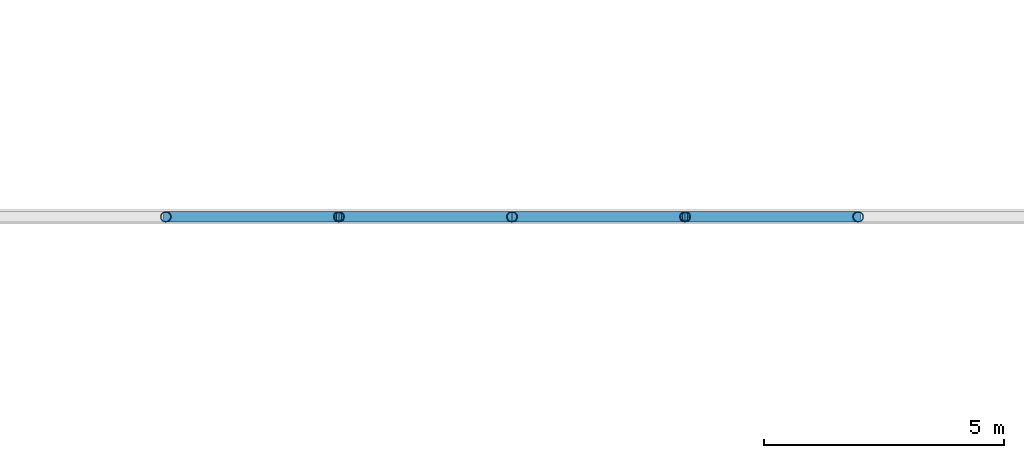
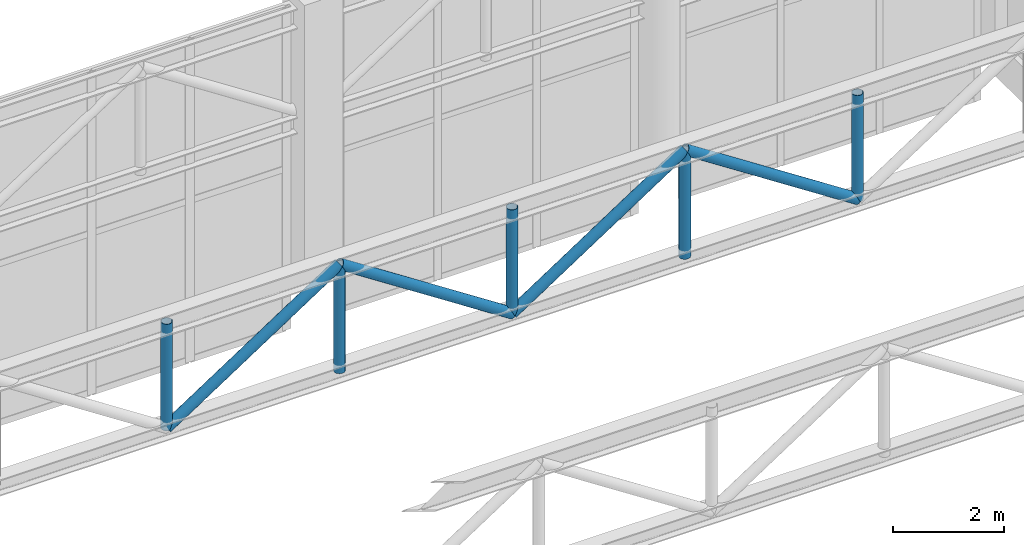
# One storey, part 102 of 153: 9 members.
"""IFC4 building model written with IfcOpenShell, lengths in metres."""

from ifc_helpers import new_model, si_unit, direction, frame, origin, origin_2d, place, context, subcontext, project, spatial, hollow_circle, extrude, material, material_profile, profile_set, type_object, element, save


model = new_model("IFC4")

# Units and contexts
model_context = context("Model", 3, precision=1e-05, world=origin(), true_north=direction((0.0, 1.0)))
body_context = subcontext(model_context, "Body", "Model", "MODEL_VIEW")
ifc_project = project(units=[si_unit("LENGTHUNIT", "METRE"), si_unit("AREAUNIT", "SQUARE_METRE"), si_unit("VOLUMEUNIT", "CUBIC_METRE"), si_unit("PLANEANGLEUNIT", "RADIAN"), si_unit("MASSUNIT", "GRAM", prefix="KILO")], contexts=[model_context])

# Site, building, storey
site_placement = place(None, origin())
site = spatial("IfcSite", under=ifc_project, at=site_placement, CompositionType="ELEMENT")
building_placement = place(site_placement, origin())
building = spatial("IfcBuilding", under=site, at=building_placement, Name="Qandorah Velis Arena", CompositionType="ELEMENT")
storey_placement = place(building_placement, frame((0.0, 0.0, 5.39990234375)))
storey = spatial("IfcBuildingStorey", under=building, at=storey_placement, Name="L01", CompositionType="ELEMENT", Elevation=5.39990234375)

# Members
ifc_material = material(Name="Steel S355", Category="steel")
ifc_material_profile = material_profile(ifc_material, hollow_circle(Radius=0.109619140625, WallThickness=0.010009765625, at=origin_2d()), Name="CHS 219.1x10")
ifc_profile_set = profile_set([ifc_material_profile], Name="Steel S355")
member_type = type_object("IfcMemberType", Name="STR-SFD-CHS219X10", PredefinedType="STRUT", material=ifc_profile_set)
member_1_placement = place(storey_placement, frame((144.0, 115.199951171875, 3.205078125), z_axis=(0.0, 0.0, 1.0), x_axis=(1.0, 0.0, 0.0)))
element("IfcMember", 1, at=member_1_placement, inside=storey, type_object=member_type, Name="Practice court roof truss 4 vertical 7", PredefinedType="STRUT", context=body_context, shape_type="SweptSolid", body=[
    extrude(hollow_circle(Radius=0.109619140625, WallThickness=0.010009765625, at=origin_2d()), origin(), (0.0, 0.0, 1.0), 2.35009765625),
])
member_2_placement = place(storey_placement, frame((144.0, 115.199951171875, 3.205078125), z_axis=(0.837375540217, 0.0, 0.546628031339), x_axis=(0.0, 1.0, 0.0)))
element("IfcMember", 2, at=member_2_placement, inside=storey, type_object=member_type, Name="Practice court roof truss 4 web diagonal 7", PredefinedType="STRUT", context=body_context, shape_type="SweptSolid", body=[
    extrude(hollow_circle(Radius=0.109619140625, WallThickness=0.010009765625, at=origin_2d()), origin(), (0.0, 0.0, 1.0), 4.29931640625),
])
member_3_placement = place(storey_placement, frame((147.60009765625, 115.199951171875, 3.205078125), z_axis=(0.0, 0.0, 1.0), x_axis=(1.0, 0.0, 0.0)))
element("IfcMember", 3, at=member_3_placement, inside=storey, type_object=member_type, Name="Practice court roof truss 4 vertical 8", PredefinedType="STRUT", context=body_context, shape_type="SweptSolid", body=[
    extrude(hollow_circle(Radius=0.109619140625, WallThickness=0.010009765625, at=origin_2d()), origin(), (0.0, 0.0, 1.0), 2.35009765625),
])
member_4_placement = place(storey_placement, frame((147.60009765625, 115.199951171875, 5.55517578125), z_axis=(0.837358571039, 0.0, -0.54665402542), x_axis=(0.0, 1.0, 0.0)))
element("IfcMember", 4, at=member_4_placement, inside=storey, type_object=member_type, Name="Practice court roof truss 4 web diagonal 8", PredefinedType="STRUT", context=body_context, shape_type="SweptSolid", body=[
    extrude(hollow_circle(Radius=0.109619140625, WallThickness=0.010009765625, at=origin_2d()), origin(), (0.0, 0.0, 1.0), 4.299072265625),
])
member_5_placement = place(storey_placement, frame((151.199951171875, 115.199951171875, 3.205078125), z_axis=(0.0, 0.0, 1.0), x_axis=(1.0, 0.0, 0.0)))
element("IfcMember", 5, at=member_5_placement, inside=storey, type_object=member_type, Name="Practice court roof truss 4 vertical 9", PredefinedType="STRUT", context=body_context, shape_type="SweptSolid", body=[
    extrude(hollow_circle(Radius=0.109619140625, WallThickness=0.010009765625, at=origin_2d()), origin(), (0.0, 0.0, 1.0), 2.35009765625),
])
member_6_placement = place(storey_placement, frame((151.199951171875, 115.199951171875, 3.205078125), z_axis=(0.837375540217, 0.0, 0.546628031339), x_axis=(0.0, 1.0, 0.0)))
element("IfcMember", 6, at=member_6_placement, inside=storey, type_object=member_type, Name="Practice court roof truss 4 web diagonal 9", PredefinedType="STRUT", context=body_context, shape_type="SweptSolid", body=[
    extrude(hollow_circle(Radius=0.109619140625, WallThickness=0.010009765625, at=origin_2d()), origin(), (0.0, 0.0, 1.0), 4.29931640625),
])
member_7_placement = place(storey_placement, frame((154.800048828125, 115.199951171875, 3.205078125), z_axis=(0.0, 0.0, 1.0), x_axis=(1.0, 0.0, 0.0)))
element("IfcMember", 7, at=member_7_placement, inside=storey, type_object=member_type, Name="Practice court roof truss 4 vertical 10", PredefinedType="STRUT", context=body_context, shape_type="SweptSolid", body=[
    extrude(hollow_circle(Radius=0.109619140625, WallThickness=0.010009765625, at=origin_2d()), origin(), (0.0, 0.0, 1.0), 2.35009765625),
])
member_8_placement = place(storey_placement, frame((154.800048828125, 115.199951171875, 5.55517578125), z_axis=(0.837358571039, 0.0, -0.54665402542), x_axis=(0.0, 1.0, 0.0)))
element("IfcMember", 8, at=member_8_placement, inside=storey, type_object=member_type, Name="Practice court roof truss 4 web diagonal 10", PredefinedType="STRUT", context=body_context, shape_type="SweptSolid", body=[
    extrude(hollow_circle(Radius=0.109619140625, WallThickness=0.010009765625, at=origin_2d()), origin(), (0.0, 0.0, 1.0), 4.299072265625),
])
member_9_placement = place(storey_placement, frame((158.39990234375, 115.199951171875, 3.205078125), z_axis=(0.0, 0.0, 1.0), x_axis=(1.0, 0.0, 0.0)))
element("IfcMember", 9, at=member_9_placement, inside=storey, type_object=member_type, Name="Practice court roof truss 4 vertical 11", PredefinedType="STRUT", context=body_context, shape_type="SweptSolid", body=[
    extrude(hollow_circle(Radius=0.109619140625, WallThickness=0.010009765625, at=origin_2d()), origin(), (0.0, 0.0, 1.0), 2.35009765625),
])

save(model, "model.ifc")
